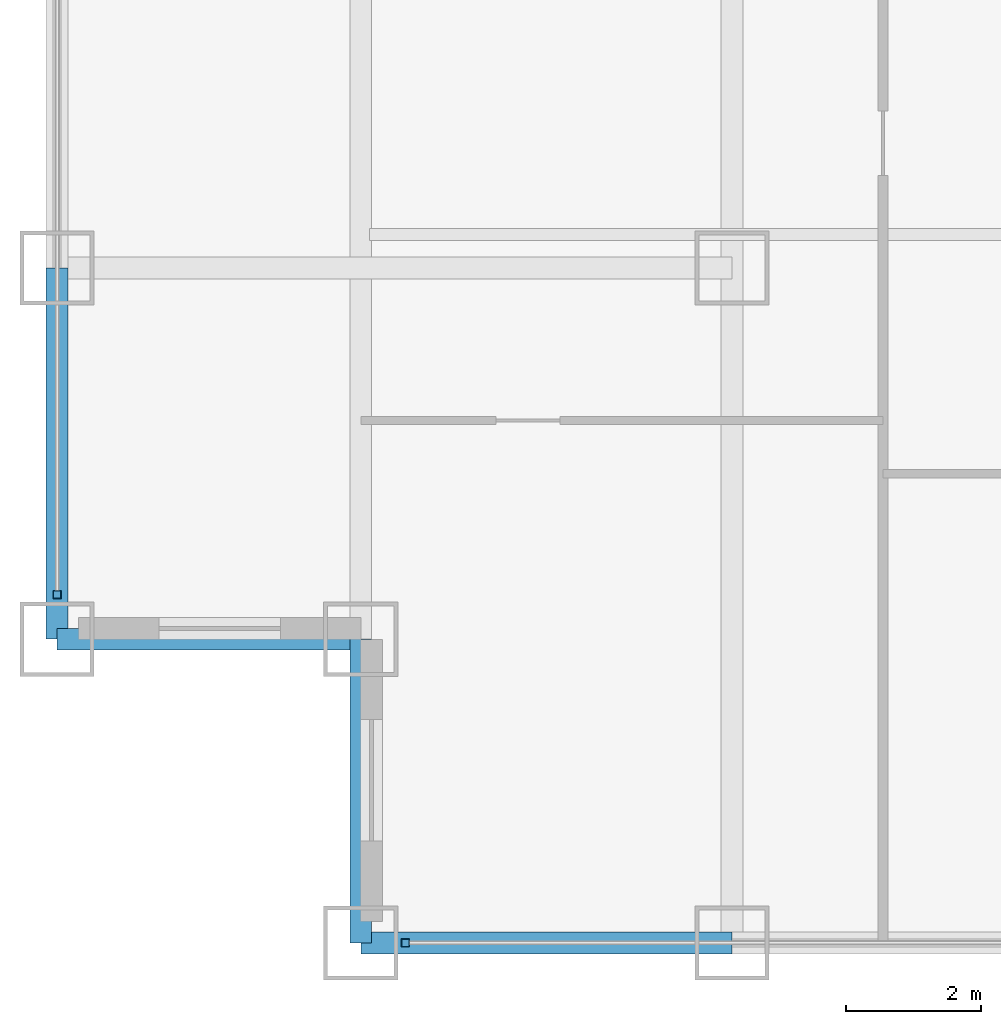
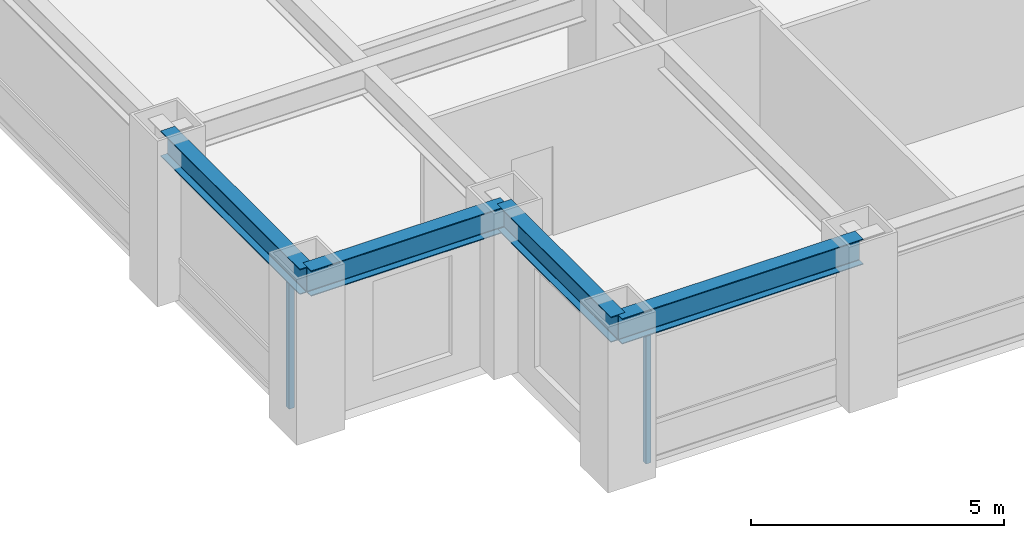
# One storey, part 2 of 24: 4 beams, 2 members, 2 elements without a shape of their own.
"""IFC4 building model written with IfcOpenShell, lengths in metres."""

from ifc_helpers import new_model, si_unit, direction, frame, origin, origin_2d, place, context, subcontext, project, spatial, hollow_rectangle, i_section, extrude, source, transform, mapped, material, material_profile, profile_set, type_object, element, aggregate, save


model = new_model("IFC4")

# Units and contexts
model_context = context("Model", 3, precision=1e-05, world=origin(), true_north=direction((0.0, 1.0)))
body_context = subcontext(model_context, "Body", "Model", "MODEL_VIEW")
ifc_project = project(units=[si_unit("LENGTHUNIT", "METRE"), si_unit("AREAUNIT", "SQUARE_METRE"), si_unit("VOLUMEUNIT", "CUBIC_METRE"), si_unit("PLANEANGLEUNIT", "RADIAN"), si_unit("MASSUNIT", "GRAM", prefix="KILO")], contexts=[model_context])

# Site, building, storey
site_placement = place(None, origin())
site = spatial("IfcSite", under=ifc_project, at=site_placement, CompositionType="ELEMENT")
building_placement = place(site_placement, origin())
building = spatial("IfcBuilding", under=site, at=building_placement, Name="Khorayat Bourse Tower", CompositionType="ELEMENT")
storey_placement = place(building_placement, frame((0.0, 0.0, 171.10009765625)))
storey = spatial("IfcBuildingStorey", under=building, at=storey_placement, Name="L39", CompositionType="ELEMENT", Elevation=171.10009765625)

# Beams
ifc_material_1 = material(Name="Steel ASTM A992 Grade 50", Category="steel")
ifc_material_profile_1 = material_profile(ifc_material_1, i_section(OverallWidth=0.324951171875, OverallDepth=0.615966796875, WebThickness=0.013916015625, FlangeThickness=0.021484375, FilletRadius=0.01611328125, at=origin_2d()), Name="W610X174")
ifc_profile_set_1 = profile_set([ifc_material_profile_1], Name="Steel ASTM A992 Grade 50")
beam_type = type_object("IfcBeamType", Name="BM-SPAN-610", PredefinedType="SPANDREL", material=ifc_profile_set_1)
shared_shape_1 = source(origin(), body_context, "Body", "SweptSolid", [
    extrude(i_section(OverallWidth=0.324951171875, OverallDepth=0.615966796875, WebThickness=0.013916015625, FlangeThickness=0.021484375, FilletRadius=0.01611328125, at=origin_2d()), origin(), (0.0, 0.0, 1.0), 5.5),
])
for number, where, z_axis, x_axis, name in (
    (1, (-25.5, -30.0, 3.471923828125), (1.0, 0.0, 0.0), (0.0, 1.0, 0.0), "L39 BM-SPAN-610 BM-L39-SPN-024"),
    (2, (-30.0, -25.5, 3.471923828125), (0.0, 1.0, 0.0), (-1.0, 0.0, 0.0), "L39 BM-SPAN-610 BM-L39-SPN-061"),
):
    element("IfcBeam", number, at=place(storey_placement, frame(where, z_axis=z_axis, x_axis=x_axis)), inside=storey, type_object=beam_type, Name=name, PredefinedType="SPANDREL", context=body_context, shape_type="MappedRepresentation", body=[
        mapped(shared_shape_1, transform((0.0, 0.0, 0.0), scale=1.0)),
    ])
shared_shape_2 = source(origin(), body_context, "Body", "SweptSolid", [
    extrude(i_section(OverallWidth=0.324951171875, OverallDepth=0.615966796875, WebThickness=0.013916015625, FlangeThickness=0.021484375, FilletRadius=0.01611328125, at=origin_2d()), origin(), (0.0, 0.0, 1.0), 4.5),
])
for number, where, z_axis, x_axis, name in (
    (3, (-30.0, -25.5, 3.471923828125), (1.0, 0.0, 0.0), (0.0, 1.0, 0.0), "L39 BM-SPAN-610 BM-L39-SPN-062"),
    (4, (-25.5, -30.0, 3.471923828125), (0.0, 1.0, 0.0), (-1.0, 0.0, 0.0), "L39 BM-SPAN-610 BM-L39-SPN-063"),
):
    element("IfcBeam", number, at=place(storey_placement, frame(where, z_axis=z_axis, x_axis=x_axis)), inside=storey, type_object=beam_type, Name=name, PredefinedType="SPANDREL", context=body_context, shape_type="MappedRepresentation", body=[
        mapped(shared_shape_2, transform((0.0, 0.0, 0.0), scale=1.0)),
    ])

# Curtain wall, member
ifc_material_2 = material(Name="Aluminium EN AW-6063 T6", Category="aluminium")
curtain_wall_type = type_object("IfcCurtainWallType", Name="CW-SYS-03", PredefinedType="NOTDEFINED", material=ifc_material_2)
curtain_wall_1_placement = place(storey_placement, origin())
curtain_wall_1 = element("IfcCurtainWall", 5, at=curtain_wall_1_placement, inside=storey, type_object=curtain_wall_type, Name="L39 Curtain Wall CW-L39-S1", PredefinedType="NOTDEFINED")
ifc_material_profile_2 = material_profile(ifc_material_2, hollow_rectangle(XDim=0.1201171875, YDim=0.1201171875, WallThickness=0.0048828125, at=origin_2d()), Name="ALU 120x120x5")
ifc_profile_set_2 = profile_set([ifc_material_profile_2], Name="Aluminium EN AW-6063 T6")
member_type = type_object("IfcMemberType", Name="CWM-VERT-120", PredefinedType="MULLION", material=ifc_profile_set_2)
shared_shape_3 = source(origin(), body_context, "Body", "SweptSolid", [
    extrude(hollow_rectangle(XDim=0.1201171875, YDim=0.1201171875, WallThickness=0.0048828125, at=origin_2d()), origin(), (0.0, 0.0, 1.0), 3.1298828125),
])
member_1_placement = place(storey_placement, frame((-24.840087890625, -30.0, 0.0), z_axis=(0.0, 0.0, 1.0), x_axis=(0.0, 1.0, 0.0)))
member_1 = element("IfcMember", 6, at=member_1_placement, type_object=member_type, Name="CW-L39-S1 Vertical Mullion 1", PredefinedType="MULLION", context=body_context, shape_type="MappedRepresentation", body=[
    mapped(shared_shape_3, transform((0.0, 0.0, 0.0), scale=1.0)),
])
aggregate(curtain_wall_1, [member_1])

curtain_wall_2_placement = place(storey_placement, origin())
curtain_wall_2 = element("IfcCurtainWall", 7, at=curtain_wall_2_placement, inside=storey, type_object=curtain_wall_type, Name="L39 Curtain Wall CW-L39-W1", PredefinedType="NOTDEFINED")
member_2_placement = place(storey_placement, frame((-30.0, -24.840087890625, 0.0), z_axis=(0.0, 0.0, 1.0), x_axis=(-1.0, 0.0, 0.0)))
member_2 = element("IfcMember", 8, at=member_2_placement, type_object=member_type, Name="CW-L39-W1 Vertical Mullion 1", PredefinedType="MULLION", context=body_context, shape_type="MappedRepresentation", body=[
    mapped(shared_shape_3, transform((0.0, 0.0, 0.0), scale=1.0)),
])
aggregate(curtain_wall_2, [member_2])

save(model, "model.ifc")
